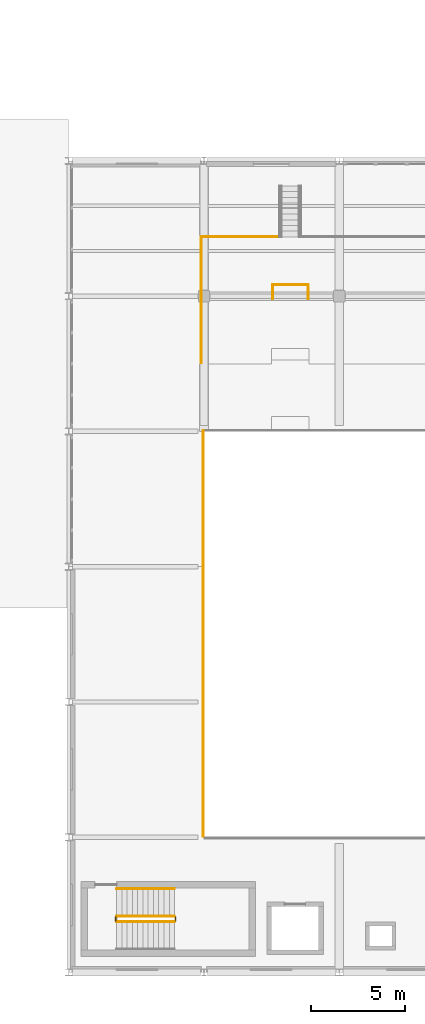
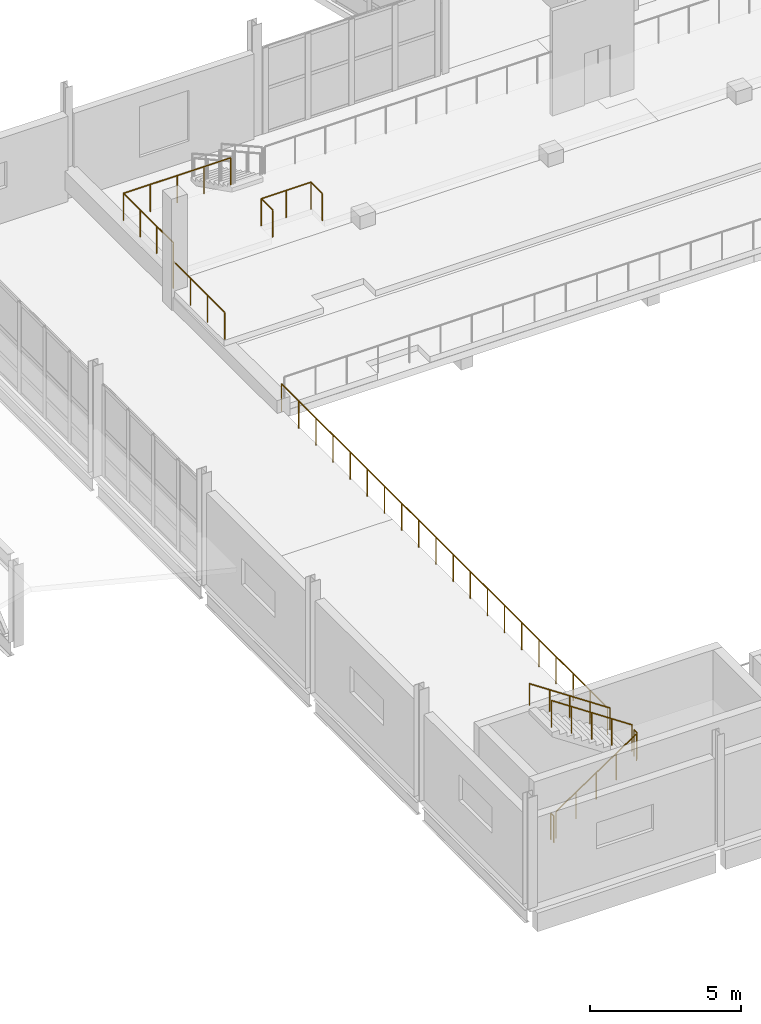
# One storey, part 110 of 123: 12 railings.
"""IFC4 building model written with IfcOpenShell, lengths in metres."""

from ifc_helpers import new_model, si_unit, direction, frame, origin, origin_2d, place, context, subcontext, project, spatial, circle, extrude, material, type_object, element, save


model = new_model("IFC4")

# Units and contexts
model_context = context("Model", 3, precision=1e-05, world=origin(), true_north=direction((0.0, 1.0)))
body_context = subcontext(model_context, "Body", "Model", "MODEL_VIEW")
ifc_project = project(units=[si_unit("LENGTHUNIT", "METRE"), si_unit("AREAUNIT", "SQUARE_METRE"), si_unit("VOLUMEUNIT", "CUBIC_METRE"), si_unit("PLANEANGLEUNIT", "RADIAN"), si_unit("MASSUNIT", "GRAM", prefix="KILO")], contexts=[model_context])

# Site, building, storey
site_placement = place(None, origin())
site = spatial("IfcSite", under=ifc_project, at=site_placement, CompositionType="ELEMENT")
building_placement = place(site_placement, origin())
building = spatial("IfcBuilding", under=site, at=building_placement, Name="Kalmorath City Hall", CompositionType="ELEMENT")
storey_placement = place(building_placement, frame((0.0, 0.0, 10.199951171875)))
storey = spatial("IfcBuildingStorey", under=building, at=storey_placement, Name="L02", CompositionType="ELEMENT", Elevation=10.199951171875)

# Railings
ifc_material_1 = material(Name="Stainless steel and laminated glass", Category="steel")
railing_type_1 = type_object("IfcRailingType", Name="Atrium and gallery crowd guardrail 1120", PredefinedType="GUARDRAIL", material=ifc_material_1)
railing_1_placement = place(storey_placement, frame((122.25, 35.85009765625, 1.5)))
element("IfcRailing", 1, at=railing_1_placement, inside=storey, type_object=railing_type_1, Name="L02 indoor void guardrail #4", PredefinedType="GUARDRAIL", context=body_context, shape_type="SweptSolid", body=[
    extrude(circle(Radius=0.02392578125, at=origin_2d()), frame((0.0, 0.0, 1.09619140625), z_axis=(0.0, 1.0, 0.0), x_axis=(-1.0, 0.0, 0.0)), (0.0, 0.0, 1.0), 3.2998046875),
    extrude(circle(Radius=0.02099609375, at=origin_2d()), origin(), (0.0, 0.0, 1.0), 1.072021484375),
    extrude(circle(Radius=0.02099609375, at=origin_2d()), frame((0.0, 1.099853515625, 0.0)), (0.0, 0.0, 1.0), 1.072021484375),
    extrude(circle(Radius=0.02099609375, at=origin_2d()), frame((0.0, 2.199951171875, 0.0)), (0.0, 0.0, 1.0), 1.072021484375),
    extrude(circle(Radius=0.02099609375, at=origin_2d()), frame((0.0, 3.2998046875, 0.0)), (0.0, 0.0, 1.0), 1.072021484375),
])
railing_2_placement = place(storey_placement, frame((122.25, 39.14990234375, 1.5)))
element("IfcRailing", 2, at=railing_2_placement, inside=storey, type_object=railing_type_1, Name="L02 indoor void guardrail #6", PredefinedType="GUARDRAIL", context=body_context, shape_type="SweptSolid", body=[
    extrude(circle(Radius=0.02392578125, at=origin_2d()), frame((0.0, 0.0, 1.09619140625), z_axis=(1.0, 0.0, 0.0), x_axis=(0.0, 1.0, 0.0)), (0.0, 0.0, 1.0), 4.10009765625),
    extrude(circle(Radius=0.02099609375, at=origin_2d()), origin(), (0.0, 0.0, 1.0), 1.072021484375),
    extrude(circle(Radius=0.02099609375, at=origin_2d()), frame((1.02490234375, 0.0, 0.0)), (0.0, 0.0, 1.0), 1.072021484375),
    extrude(circle(Radius=0.02099609375, at=origin_2d()), frame((2.050048828125, 0.0, 0.0)), (0.0, 0.0, 1.0), 1.072021484375),
    extrude(circle(Radius=0.02099609375, at=origin_2d()), frame((3.0751953125, 0.0, 0.0)), (0.0, 0.0, 1.0), 1.072021484375),
    extrude(circle(Radius=0.02099609375, at=origin_2d()), frame((4.10009765625, 0.0, 0.0)), (0.0, 0.0, 1.0), 1.072021484375),
])
for number, where, name in (
    (3, (126.050048828125, 35.85009765625, 1.5), "L02 indoor void guardrail #9"),
    (4, (127.949951171875, 35.85009765625, 1.5), "L02 indoor void guardrail #10"),
):
    element("IfcRailing", number, at=place(storey_placement, frame(where)), inside=storey, type_object=railing_type_1, Name=name, PredefinedType="GUARDRAIL", context=body_context, shape_type="SweptSolid", body=[
        extrude(circle(Radius=0.02392578125, at=origin_2d()), frame((0.0, 0.0, 1.09619140625), z_axis=(0.0, 1.0, 0.0), x_axis=(-1.0, 0.0, 0.0)), (0.0, 0.0, 1.0), 0.75),
        extrude(circle(Radius=0.02099609375, at=origin_2d()), origin(), (0.0, 0.0, 1.0), 1.072021484375),
        extrude(circle(Radius=0.02099609375, at=origin_2d()), frame((0.0, 0.75, 0.0)), (0.0, 0.0, 1.0), 1.072021484375),
    ])
railing_3_placement = place(storey_placement, frame((126.050048828125, 36.60009765625, 1.5)))
element("IfcRailing", 5, at=railing_3_placement, inside=storey, type_object=railing_type_1, Name="L02 indoor void guardrail #13", PredefinedType="GUARDRAIL", context=body_context, shape_type="SweptSolid", body=[
    extrude(circle(Radius=0.02392578125, at=origin_2d()), frame((0.0, 0.0, 1.09619140625), z_axis=(1.0, 0.0, 0.0), x_axis=(0.0, 1.0, 0.0)), (0.0, 0.0, 1.0), 1.89990234375),
    extrude(circle(Radius=0.02099609375, at=origin_2d()), origin(), (0.0, 0.0, 1.0), 1.072021484375),
    extrude(circle(Radius=0.02099609375, at=origin_2d()), frame((0.949951171875, 0.0, 0.0)), (0.0, 0.0, 1.0), 1.072021484375),
    extrude(circle(Radius=0.02099609375, at=origin_2d()), frame((1.89990234375, 0.0, 0.0)), (0.0, 0.0, 1.0), 1.072021484375),
])
railing_4_placement = place(storey_placement, frame((122.25, 32.449951171875, 0.75)))
element("IfcRailing", 6, at=railing_4_placement, inside=storey, type_object=railing_type_1, Name="L02 indoor void guardrail #15", PredefinedType="GUARDRAIL", context=body_context, shape_type="SweptSolid", body=[
    extrude(circle(Radius=0.02392578125, at=origin_2d()), frame((0.0, 0.0, 1.09619140625), z_axis=(0.0, 1.0, 0.0), x_axis=(-1.0, 0.0, 0.0)), (0.0, 0.0, 1.0), 3.400146484375),
    extrude(circle(Radius=0.02099609375, at=origin_2d()), origin(), (0.0, 0.0, 1.0), 1.072021484375),
    extrude(circle(Radius=0.02099609375, at=origin_2d()), frame((0.0, 1.13330078125, 0.0)), (0.0, 0.0, 1.0), 1.072021484375),
    extrude(circle(Radius=0.02099609375, at=origin_2d()), frame((0.0, 2.266845703125, 0.0)), (0.0, 0.0, 1.0), 1.072021484375),
    extrude(circle(Radius=0.02099609375, at=origin_2d()), frame((0.0, 3.400146484375, 0.0)), (0.0, 0.0, 1.0), 1.072021484375),
])
railing_5_placement = place(storey_placement, frame((122.35009765625, 7.25, 0.0)))
element("IfcRailing", 7, at=railing_5_placement, inside=storey, type_object=railing_type_1, Name="L02 indoor void guardrail #17", PredefinedType="GUARDRAIL", context=body_context, shape_type="SweptSolid", body=[
    extrude(circle(Radius=0.02392578125, at=origin_2d()), frame((0.0, 0.0, 1.09619140625), z_axis=(0.0, 1.0, 0.0), x_axis=(-1.0, 0.0, 0.0)), (0.0, 0.0, 1.0), 21.60009765625),
    extrude(circle(Radius=0.02099609375, at=origin_2d()), origin(), (0.0, 0.0, 1.0), 1.072021484375),
    extrude(circle(Radius=0.02099609375, at=origin_2d()), frame((0.0, 1.136962890625, 0.0)), (0.0, 0.0, 1.0), 1.072021484375),
    extrude(circle(Radius=0.02099609375, at=origin_2d()), frame((0.0, 2.273681640625, 0.0)), (0.0, 0.0, 1.0), 1.072021484375),
    extrude(circle(Radius=0.02099609375, at=origin_2d()), frame((0.0, 3.41064453125, 0.0)), (0.0, 0.0, 1.0), 1.072021484375),
    extrude(circle(Radius=0.02099609375, at=origin_2d()), frame((0.0, 4.54736328125, 0.0)), (0.0, 0.0, 1.0), 1.072021484375),
    extrude(circle(Radius=0.02099609375, at=origin_2d()), frame((0.0, 5.684326171875, 0.0)), (0.0, 0.0, 1.0), 1.072021484375),
    extrude(circle(Radius=0.02099609375, at=origin_2d()), frame((0.0, 6.821044921875, 0.0)), (0.0, 0.0, 1.0), 1.072021484375),
    extrude(circle(Radius=0.02099609375, at=origin_2d()), frame((0.0, 7.9580078125, 0.0)), (0.0, 0.0, 1.0), 1.072021484375),
    extrude(circle(Radius=0.02099609375, at=origin_2d()), frame((0.0, 9.0947265625, 0.0)), (0.0, 0.0, 1.0), 1.072021484375),
    extrude(circle(Radius=0.02099609375, at=origin_2d()), frame((0.0, 10.231689453125, 0.0)), (0.0, 0.0, 1.0), 1.072021484375),
    extrude(circle(Radius=0.02099609375, at=origin_2d()), frame((0.0, 11.368408203125, 0.0)), (0.0, 0.0, 1.0), 1.072021484375),
    extrude(circle(Radius=0.02099609375, at=origin_2d()), frame((0.0, 12.50537109375, 0.0)), (0.0, 0.0, 1.0), 1.072021484375),
    extrude(circle(Radius=0.02099609375, at=origin_2d()), frame((0.0, 13.64208984375, 0.0)), (0.0, 0.0, 1.0), 1.072021484375),
    extrude(circle(Radius=0.02099609375, at=origin_2d()), frame((0.0, 14.779052734375, 0.0)), (0.0, 0.0, 1.0), 1.072021484375),
    extrude(circle(Radius=0.02099609375, at=origin_2d()), frame((0.0, 15.915771484375, 0.0)), (0.0, 0.0, 1.0), 1.072021484375),
    extrude(circle(Radius=0.02099609375, at=origin_2d()), frame((0.0, 17.052734375, 0.0)), (0.0, 0.0, 1.0), 1.072021484375),
    extrude(circle(Radius=0.02099609375, at=origin_2d()), frame((0.0, 18.189453125, 0.0)), (0.0, 0.0, 1.0), 1.072021484375),
    extrude(circle(Radius=0.02099609375, at=origin_2d()), frame((0.0, 19.326416015625, 0.0)), (0.0, 0.0, 1.0), 1.072021484375),
    extrude(circle(Radius=0.02099609375, at=origin_2d()), frame((0.0, 20.463134765625, 0.0)), (0.0, 0.0, 1.0), 1.072021484375),
    extrude(circle(Radius=0.02099609375, at=origin_2d()), frame((0.0, 21.60009765625, 0.0)), (0.0, 0.0, 1.0), 1.072021484375),
])
ifc_material_2 = material(Name="Painted steel guardrail", Category="steel")
railing_type_2 = type_object("IfcRailingType", Name="Protected stair guardrail 1100", PredefinedType="GUARDRAIL", material=ifc_material_2)
railing_6_placement = place(storey_placement, frame((117.75, 2.699951171875, 0.1875)))
element("IfcRailing", 8, at=railing_6_placement, inside=storey, type_object=railing_type_2, Name="L02 ST-5 stair guard 1", PredefinedType="GUARDRAIL", context=body_context, shape_type="SweptSolid", body=[
    extrude(circle(Radius=0.02392578125, at=origin_2d()), frame((0.0, 0.0, 1.076171875), z_axis=(0.830913701846, 0.0, 0.55640131208), x_axis=(0.0, 1.0, 0.0)), (0.0, 0.0, 1.0), 3.706787109375),
    extrude(circle(Radius=0.02099609375, at=origin_2d()), origin(), (0.0, 0.0, 1.0), 1.052001953125),
    extrude(circle(Radius=0.02099609375, at=origin_2d()), frame((0.77001953125, 0.0, 0.515625)), (0.0, 0.0, 1.0), 1.052001953125),
    extrude(circle(Radius=0.02099609375, at=origin_2d()), frame((1.5400390625, 0.0, 1.03125)), (0.0, 0.0, 1.0), 1.052001953125),
    extrude(circle(Radius=0.02099609375, at=origin_2d()), frame((2.31005859375, 0.0, 1.546875)), (0.0, 0.0, 1.0), 1.052001953125),
    extrude(circle(Radius=0.02099609375, at=origin_2d()), frame((3.080078125, 0.0, 2.0625)), (0.0, 0.0, 1.0), 1.052001953125),
])
railing_7_placement = place(storey_placement, frame((120.8798828125, 2.75, 2.25)))
element("IfcRailing", 9, at=railing_7_placement, inside=storey, type_object=railing_type_2, Name="L02 ST-5 stair guard 2", PredefinedType="GUARDRAIL", context=body_context, shape_type="SweptSolid", body=[
    extrude(circle(Radius=0.02392578125, at=origin_2d()), frame((0.0, 0.0, 1.076171875), z_axis=(0.0, 1.0, 0.0), x_axis=(-1.0, 0.0, 0.0)), (0.0, 0.0, 1.0), 0.199951171875),
    extrude(circle(Radius=0.02099609375, at=origin_2d()), origin(), (0.0, 0.0, 1.0), 1.052001953125),
    extrude(circle(Radius=0.02099609375, at=origin_2d()), frame((0.0, 0.199951171875, 0.0)), (0.0, 0.0, 1.0), 1.052001953125),
])
railing_8_placement = place(storey_placement, frame((120.830078125, 3.0, 2.4375)))
element("IfcRailing", 10, at=railing_8_placement, inside=storey, type_object=railing_type_2, Name="L02 ST-5 stair guard 3", PredefinedType="GUARDRAIL", context=body_context, shape_type="SweptSolid", body=[
    extrude(circle(Radius=0.02392578125, at=origin_2d()), frame((0.0, 0.0, 1.076171875), z_axis=(-0.830913701846, 0.0, 0.55640131208), x_axis=(0.0, -1.0, 0.0)), (0.0, 0.0, 1.0), 3.706787109375),
    extrude(circle(Radius=0.02099609375, at=origin_2d()), origin(), (0.0, 0.0, 1.0), 1.052001953125),
    extrude(circle(Radius=0.02099609375, at=origin_2d()), frame((-0.77001953125, 0.0, 0.515625)), (0.0, 0.0, 1.0), 1.052001953125),
    extrude(circle(Radius=0.02099609375, at=origin_2d()), frame((-1.5400390625, 0.0, 1.03125)), (0.0, 0.0, 1.0), 1.052001953125),
    extrude(circle(Radius=0.02099609375, at=origin_2d()), frame((-2.31005859375, 0.0, 1.546875)), (0.0, 0.0, 1.0), 1.052001953125),
    extrude(circle(Radius=0.02099609375, at=origin_2d()), frame((-3.080078125, 0.0, 2.0625)), (0.0, 0.0, 1.0), 1.052001953125),
])
railing_9_placement = place(storey_placement, frame((117.699951171875, 2.75, 0.0)))
element("IfcRailing", 11, at=railing_9_placement, inside=storey, type_object=railing_type_2, Name="L02 ST-5 stair guard 4", PredefinedType="GUARDRAIL", context=body_context, shape_type="SweptSolid", body=[
    extrude(circle(Radius=0.02392578125, at=origin_2d()), frame((0.0, 0.0, 1.076171875), z_axis=(0.0, 1.0, 0.0), x_axis=(-1.0, 0.0, 0.0)), (0.0, 0.0, 1.0), 0.199951171875),
    extrude(circle(Radius=0.02099609375, at=origin_2d()), origin(), (0.0, 0.0, 1.0), 1.052001953125),
    extrude(circle(Radius=0.02099609375, at=origin_2d()), frame((0.0, 0.199951171875, 0.0)), (0.0, 0.0, 1.0), 1.052001953125),
])
ifc_material_3 = material(Name="Brushed stainless steel handrail", Category="steel")
railing_type_3 = type_object("IfcRailingType", Name="Stair pitch handrail 900", PredefinedType="HANDRAIL", material=ifc_material_3)
railing_10_placement = place(storey_placement, frame((120.830078125, 4.449951171875, 2.4375)))
element("IfcRailing", 12, at=railing_10_placement, inside=storey, type_object=railing_type_3, Name="L02 ST-5 stair handrail 2", PredefinedType="HANDRAIL", context=body_context, shape_type="SweptSolid", body=[
    extrude(circle(Radius=0.02392578125, at=origin_2d()), frame((0.0, 0.0, 0.8759765625), z_axis=(-0.830913701846, 0.0, 0.55640131208), x_axis=(0.0, -1.0, 0.0)), (0.0, 0.0, 1.0), 3.706787109375),
    extrude(circle(Radius=0.02099609375, at=origin_2d()), origin(), (0.0, 0.0, 1.0), 0.851806640625),
    extrude(circle(Radius=0.02099609375, at=origin_2d()), frame((-0.77001953125, 0.0, 0.515625)), (0.0, 0.0, 1.0), 0.851806640625),
    extrude(circle(Radius=0.02099609375, at=origin_2d()), frame((-1.5400390625, 0.0, 1.03125)), (0.0, 0.0, 1.0), 0.851806640625),
    extrude(circle(Radius=0.02099609375, at=origin_2d()), frame((-2.31005859375, 0.0, 1.546875)), (0.0, 0.0, 1.0), 0.851806640625),
    extrude(circle(Radius=0.02099609375, at=origin_2d()), frame((-3.080078125, 0.0, 2.0625)), (0.0, 0.0, 1.0), 0.851806640625),
])

save(model, "model.ifc")
